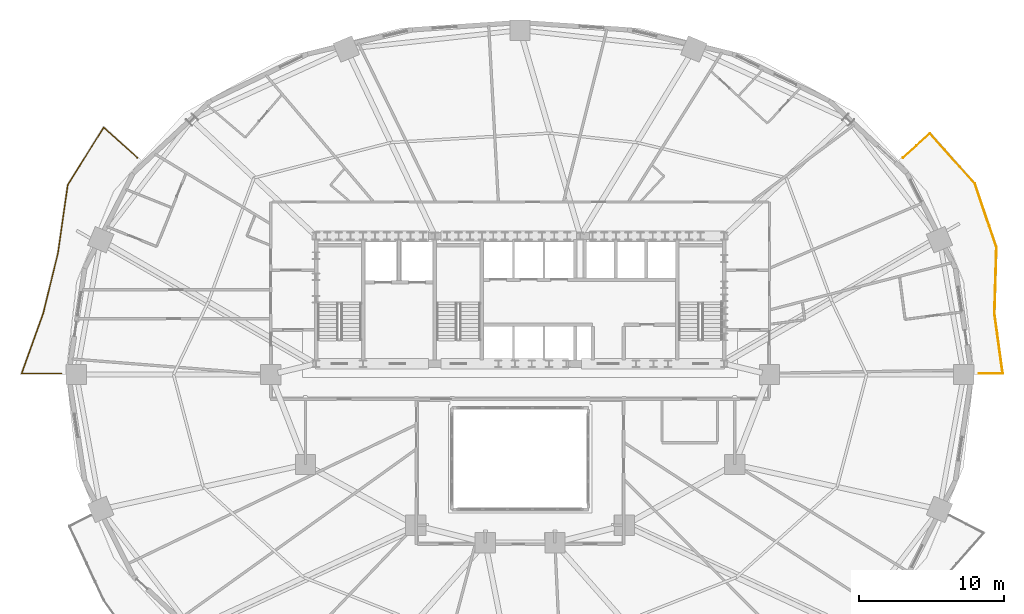
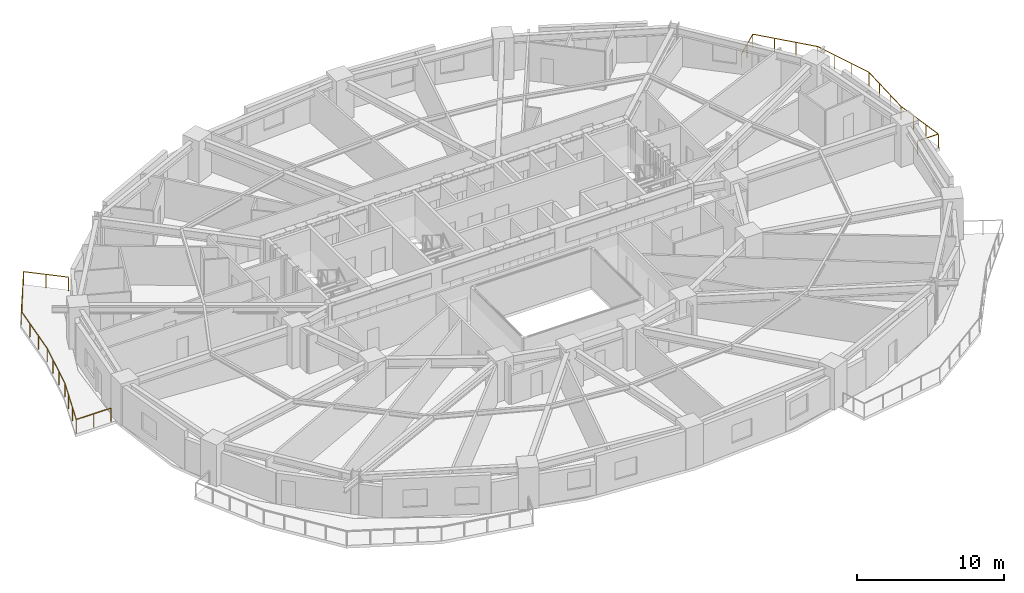
# One storey, part 17 of 17: 2 railings.
"""IFC4 building model written with IfcOpenShell, lengths in metres."""

from ifc_helpers import new_model, si_unit, direction, frame, origin, origin_2d, place, context, subcontext, project, spatial, rectangle, extrude, material, type_object, element, save


model = new_model("IFC4")

# Units and contexts
model_context = context("Model", 3, precision=1e-05, world=origin(), true_north=direction((0.0, 1.0)))
body_context = subcontext(model_context, "Body", "Model", "MODEL_VIEW")
ifc_project = project(units=[si_unit("LENGTHUNIT", "METRE"), si_unit("AREAUNIT", "SQUARE_METRE"), si_unit("VOLUMEUNIT", "CUBIC_METRE"), si_unit("PLANEANGLEUNIT", "RADIAN"), si_unit("MASSUNIT", "GRAM", prefix="KILO")], contexts=[model_context])

# Site, building, storey
site_placement = place(None, origin())
site = spatial("IfcSite", under=ifc_project, at=site_placement, CompositionType="ELEMENT")
building_placement = place(site_placement, origin())
building = spatial("IfcBuilding", under=site, at=building_placement, Name="Haldorwick Loom Tower", CompositionType="ELEMENT")
storey_placement = place(building_placement, frame((0.0, 0.0, 34.35009765625)))
storey = spatial("IfcBuildingStorey", under=building, at=storey_placement, Name="L08", CompositionType="ELEMENT", Elevation=34.35009765625)

# Railings
ifc_material = material(Name="Galvanized Steel CSA G40.21 350W", Category="steel")
railing_type = type_object("IfcRailingType", Name="ARC-RLG-BAL115", PredefinedType="BALUSTRADE", material=ifc_material)
railing_1_placement = place(storey_placement, frame((4.36083984375, 26.080078125, 0.0)))
element("IfcRailing", 1, at=railing_1_placement, inside=storey, type_object=railing_type, Name="L08 Outdoor Terrace Guardrail SLB-L08-BAL_WNW-1", PredefinedType="BALUSTRADE", context=body_context, shape_type="SweptSolid", body=[
    extrude(rectangle(XDim=0.048095703125, YDim=0.048095703125, at=origin_2d()), frame((0.0, 0.0, 1.1259765625), z_axis=(-1.0, 0.0, 0.0), x_axis=(0.0, -1.0, 0.0)), (0.0, 0.0, 1.0), 2.7314453125),
    extrude(rectangle(XDim=0.048095703125, YDim=0.048095703125, at=origin_2d()), frame((-2.7314453125, 0.0, 1.1259765625), z_axis=(0.338488613886, 0.940970487459, 0.0), x_axis=(-0.940970487459, 0.338488613886, 0.0)), (0.0, 0.0, 1.0), 4.381591796875),
    extrude(rectangle(XDim=0.048095703125, YDim=0.048095703125, at=origin_2d()), frame((-1.248291015625, 4.123046875, 1.1259765625), z_axis=(0.290007395283, 0.957024404433, 0.0), x_axis=(-0.957024404433, 0.290007395283, 0.0)), (0.0, 0.0, 1.0), 0.00830078125),
    extrude(rectangle(XDim=0.048095703125, YDim=0.048095703125, at=origin_2d()), frame((-1.245849609375, 4.131103515625, 1.1259765625), z_axis=(0.237633699165, 0.971354839912, 0.0), x_axis=(-0.971354839912, 0.237633699165, 0.0)), (0.0, 0.0, 1.0), 4.280029296875),
    extrude(rectangle(XDim=0.048095703125, YDim=0.048095703125, at=origin_2d()), frame((-0.228759765625, 8.28857421875, 1.1259765625), z_axis=(0.190021906566, 0.98177985059, 0.0), x_axis=(-0.98177985059, 0.190021906566, 0.0)), (0.0, 0.0, 1.0), 0.0078125),
    extrude(rectangle(XDim=0.048095703125, YDim=0.048095703125, at=origin_2d()), frame((-0.227294921875, 8.296142578125, 1.1259765625), z_axis=(0.14191859397, 0.989878332264, 0.0), x_axis=(-0.989878332264, 0.14191859397, 0.0)), (0.0, 0.0, 1.0), 4.742919921875),
    extrude(rectangle(XDim=0.048095703125, YDim=0.048095703125, at=origin_2d()), frame((0.44580078125, 12.990966796875, 1.1259765625), z_axis=(0.529563321948, 0.848270409744, 0.0), x_axis=(-0.848270409744, 0.529563321948, 0.0)), (0.0, 0.0, 1.0), 4.685791015625),
    extrude(rectangle(XDim=0.048095703125, YDim=0.048095703125, at=origin_2d()), frame((2.92724609375, 16.9658203125, 1.1259765625), z_axis=(0.741624845673, -0.670814868858, 0.0), x_axis=(0.670814868858, 0.741624845673, 0.0)), (0.0, 0.0, 1.0), 3.116943359375),
    extrude(rectangle(XDim=0.0419921875, YDim=0.0419921875, at=origin_2d()), origin(), (0.0, 0.0, 1.0), 1.101806640625),
    extrude(rectangle(XDim=0.0419921875, YDim=0.0419921875, at=origin_2d()), frame((-1.36572265625, 0.0, 0.0)), (0.0, 0.0, 1.0), 1.101806640625),
    extrude(rectangle(XDim=0.0419921875, YDim=0.0419921875, at=origin_2d()), frame((-2.7314453125, 0.0, 0.0)), (0.0, 0.0, 1.0), 1.101806640625),
    extrude(rectangle(XDim=0.0419921875, YDim=0.0419921875, at=origin_2d()), frame((-2.237060546875, 1.374267578125, 0.0)), (0.0, 0.0, 1.0), 1.101806640625),
    extrude(rectangle(XDim=0.0419921875, YDim=0.0419921875, at=origin_2d()), frame((-1.74267578125, 2.748779296875, 0.0)), (0.0, 0.0, 1.0), 1.101806640625),
    extrude(rectangle(XDim=0.0419921875, YDim=0.0419921875, at=origin_2d()), frame((-1.248291015625, 4.123046875, 0.0)), (0.0, 0.0, 1.0), 1.101806640625),
    extrude(rectangle(XDim=0.0419921875, YDim=0.0419921875, at=origin_2d()), frame((-0.90673828125, 5.516845703125, 0.0)), (0.0, 0.0, 1.0), 1.101806640625),
    extrude(rectangle(XDim=0.0419921875, YDim=0.0419921875, at=origin_2d()), frame((-0.56787109375, 6.90283203125, 0.0)), (0.0, 0.0, 1.0), 1.101806640625),
    extrude(rectangle(XDim=0.0419921875, YDim=0.0419921875, at=origin_2d()), frame((-0.228759765625, 8.28857421875, 0.0)), (0.0, 0.0, 1.0), 1.101806640625),
    extrude(rectangle(XDim=0.0419921875, YDim=0.0419921875, at=origin_2d()), frame((-0.0029296875, 9.861083984375, 0.0)), (0.0, 0.0, 1.0), 1.101806640625),
    extrude(rectangle(XDim=0.0419921875, YDim=0.0419921875, at=origin_2d()), frame((0.221435546875, 11.426025390625, 0.0)), (0.0, 0.0, 1.0), 1.101806640625),
    extrude(rectangle(XDim=0.0419921875, YDim=0.0419921875, at=origin_2d()), frame((0.44580078125, 12.990966796875, 0.0)), (0.0, 0.0, 1.0), 1.101806640625),
    extrude(rectangle(XDim=0.0419921875, YDim=0.0419921875, at=origin_2d()), frame((1.27294921875, 14.31591796875, 0.0)), (0.0, 0.0, 1.0), 1.101806640625),
    extrude(rectangle(XDim=0.0419921875, YDim=0.0419921875, at=origin_2d()), frame((2.10009765625, 15.640869140625, 0.0)), (0.0, 0.0, 1.0), 1.101806640625),
    extrude(rectangle(XDim=0.0419921875, YDim=0.0419921875, at=origin_2d()), frame((2.92724609375, 16.9658203125, 0.0)), (0.0, 0.0, 1.0), 1.101806640625),
    extrude(rectangle(XDim=0.0419921875, YDim=0.0419921875, at=origin_2d()), frame((4.0830078125, 15.92041015625, 0.0)), (0.0, 0.0, 1.0), 1.101806640625),
    extrude(rectangle(XDim=0.0419921875, YDim=0.0419921875, at=origin_2d()), frame((5.23876953125, 14.875, 0.0)), (0.0, 0.0, 1.0), 1.101806640625),
])
railing_2_placement = place(storey_placement, frame((62.401123046875, 40.9541015625, 0.0)))
element("IfcRailing", 2, at=railing_2_placement, inside=storey, type_object=railing_type, Name="L08 Outdoor Terrace Guardrail SLB-L08-BAL_ENE-1", PredefinedType="BALUSTRADE", context=body_context, shape_type="SweptSolid", body=[
    extrude(rectangle(XDim=0.048095703125, YDim=0.048095703125, at=origin_2d()), frame((0.0, 0.0, 1.1259765625), z_axis=(0.74353574083, 0.668696195674, 0.0), x_axis=(-0.668696195674, 0.74353574083, 0.0)), (0.0, 0.0, 1.0), 2.511962890625),
    extrude(rectangle(XDim=0.048095703125, YDim=0.048095703125, at=origin_2d()), frame((1.86767578125, 1.6796875, 1.1259765625), z_axis=(0.664640925369, -0.747162927563, 0.0), x_axis=(0.747162927563, 0.664640925369, 0.0)), (0.0, 0.0, 1.0), 4.647705078125),
    extrude(rectangle(XDim=0.048095703125, YDim=0.048095703125, at=origin_2d()), frame((4.956787109375, -1.79296875, 1.1259765625), z_axis=(0.32182984281, -0.946797524435, 0.0), x_axis=(0.946797524435, 0.32182984281, 0.0)), (0.0, 0.0, 1.0), 4.623779296875),
    extrude(rectangle(XDim=0.048095703125, YDim=0.048095703125, at=origin_2d()), frame((6.44482421875, -6.170654296875, 1.1259765625), z_axis=(-0.029323982947, -0.999569959545, 0.0), x_axis=(0.999569959545, -0.029323982947, 0.0)), (0.0, 0.0, 1.0), 4.58740234375),
    extrude(rectangle(XDim=0.048095703125, YDim=0.048095703125, at=origin_2d()), frame((6.310302734375, -10.756103515625, 1.1259765625), z_axis=(0.03701166051, -0.999314833767, 0.0), x_axis=(0.999314833767, 0.03701166051, 0.0)), (0.0, 0.0, 1.0), 0.006591796875),
    extrude(rectangle(XDim=0.048095703125, YDim=0.048095703125, at=origin_2d()), frame((6.310546875, -10.7626953125, 1.1259765625), z_axis=(0.073871685515, -0.997267754457, 0.0), x_axis=(0.997267754457, 0.073871685515, 0.0)), (0.0, 0.0, 1.0), 0.006591796875),
    extrude(rectangle(XDim=0.048095703125, YDim=0.048095703125, at=origin_2d()), frame((6.31103515625, -10.769287109375, 1.1259765625), z_axis=(0.136057133851, -0.990700992393, 0.0), x_axis=(0.990700992393, 0.136057133851, 0.0)), (0.0, 0.0, 1.0), 4.143310546875),
    extrude(rectangle(XDim=0.048095703125, YDim=0.048095703125, at=origin_2d()), frame((6.874755859375, -14.8740234375, 1.1259765625), z_axis=(-1.0, 0.0, 0.0), x_axis=(0.0, -1.0, 0.0)), (0.0, 0.0, 1.0), 1.63671875),
    extrude(rectangle(XDim=0.0419921875, YDim=0.0419921875, at=origin_2d()), origin(), (0.0, 0.0, 1.0), 1.101806640625),
    extrude(rectangle(XDim=0.0419921875, YDim=0.0419921875, at=origin_2d()), frame((0.933837890625, 0.83984375, 0.0)), (0.0, 0.0, 1.0), 1.101806640625),
    extrude(rectangle(XDim=0.0419921875, YDim=0.0419921875, at=origin_2d()), frame((1.86767578125, 1.6796875, 0.0)), (0.0, 0.0, 1.0), 1.101806640625),
    extrude(rectangle(XDim=0.0419921875, YDim=0.0419921875, at=origin_2d()), frame((2.8974609375, 0.522216796875, 0.0)), (0.0, 0.0, 1.0), 1.101806640625),
    extrude(rectangle(XDim=0.0419921875, YDim=0.0419921875, at=origin_2d()), frame((3.927001953125, -0.635498046875, 0.0)), (0.0, 0.0, 1.0), 1.101806640625),
    extrude(rectangle(XDim=0.0419921875, YDim=0.0419921875, at=origin_2d()), frame((4.956787109375, -1.79296875, 0.0)), (0.0, 0.0, 1.0), 1.101806640625),
    extrude(rectangle(XDim=0.0419921875, YDim=0.0419921875, at=origin_2d()), frame((5.452880859375, -3.252197265625, 0.0)), (0.0, 0.0, 1.0), 1.101806640625),
    extrude(rectangle(XDim=0.0419921875, YDim=0.0419921875, at=origin_2d()), frame((5.94873046875, -4.71142578125, 0.0)), (0.0, 0.0, 1.0), 1.101806640625),
    extrude(rectangle(XDim=0.0419921875, YDim=0.0419921875, at=origin_2d()), frame((6.44482421875, -6.170654296875, 0.0)), (0.0, 0.0, 1.0), 1.101806640625),
    extrude(rectangle(XDim=0.0419921875, YDim=0.0419921875, at=origin_2d()), frame((6.39990234375, -7.69921875, 0.0)), (0.0, 0.0, 1.0), 1.101806640625),
    extrude(rectangle(XDim=0.0419921875, YDim=0.0419921875, at=origin_2d()), frame((6.355224609375, -9.2275390625, 0.0)), (0.0, 0.0, 1.0), 1.101806640625),
    extrude(rectangle(XDim=0.0419921875, YDim=0.0419921875, at=origin_2d()), frame((6.310302734375, -10.756103515625, 0.0)), (0.0, 0.0, 1.0), 1.101806640625),
    extrude(rectangle(XDim=0.0419921875, YDim=0.0419921875, at=origin_2d()), frame((6.4990234375, -12.137451171875, 0.0)), (0.0, 0.0, 1.0), 1.101806640625),
    extrude(rectangle(XDim=0.0419921875, YDim=0.0419921875, at=origin_2d()), frame((6.686767578125, -13.505859375, 0.0)), (0.0, 0.0, 1.0), 1.101806640625),
    extrude(rectangle(XDim=0.0419921875, YDim=0.0419921875, at=origin_2d()), frame((6.874755859375, -14.8740234375, 0.0)), (0.0, 0.0, 1.0), 1.101806640625),
    extrude(rectangle(XDim=0.0419921875, YDim=0.0419921875, at=origin_2d()), frame((5.238037109375, -14.8740234375, 0.0)), (0.0, 0.0, 1.0), 1.101806640625),
])

save(model, "model.ifc")
